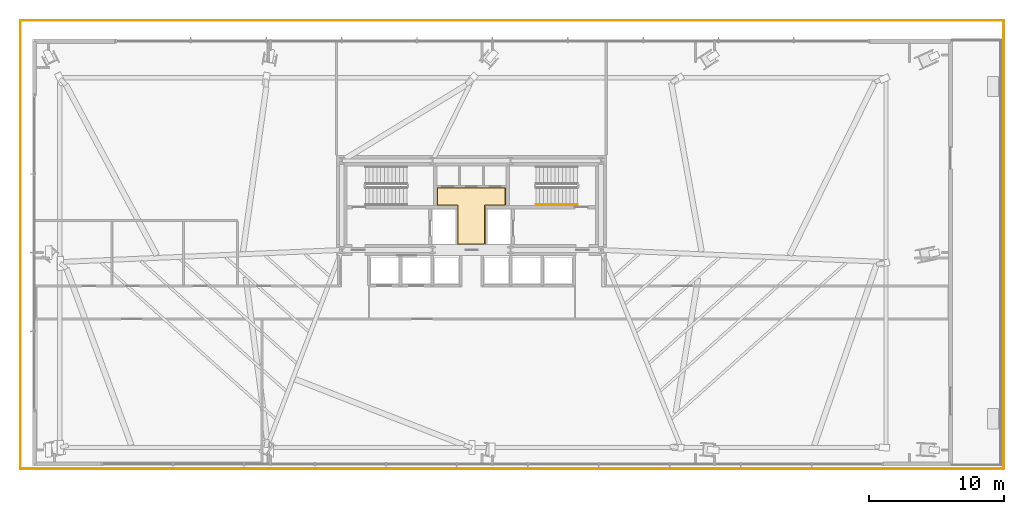
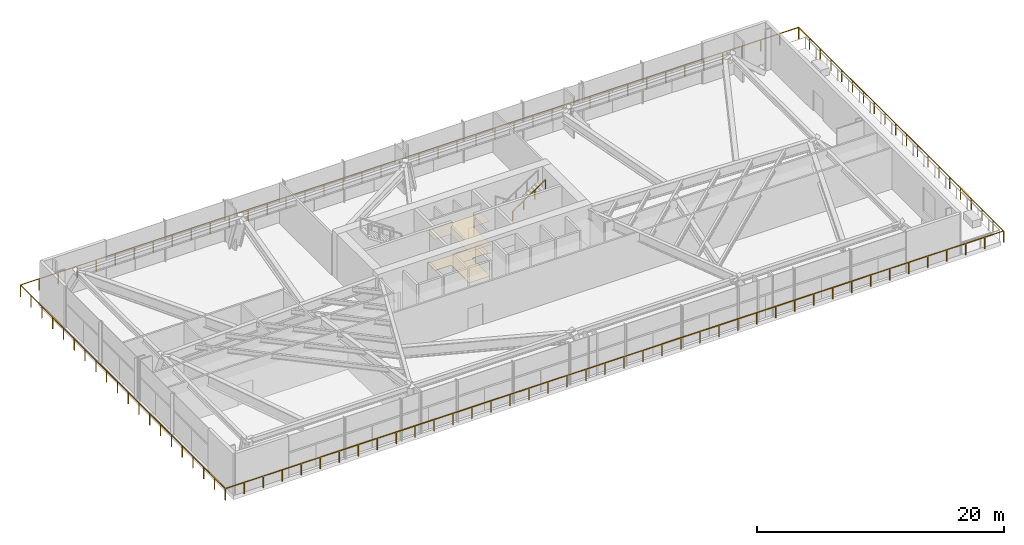
# One storey, part 27 of 30: 3 railings, 2 coverings.
"""IFC4 building model written with IfcOpenShell, lengths in metres."""

from ifc_helpers import new_model, si_unit, direction, frame, origin, origin_2d, place, context, subcontext, project, spatial, polyline, rectangle, outline, extrude, source, transform, mapped, material, layer, layer_set, type_object, type_shapes, element, save


model = new_model("IFC4")

# Units and contexts
model_context = context("Model", 3, precision=1e-05, world=origin(), true_north=direction((0.0, 1.0)))
body_context = subcontext(model_context, "Body", "Model", "MODEL_VIEW")
ifc_project = project(units=[si_unit("LENGTHUNIT", "METRE"), si_unit("AREAUNIT", "SQUARE_METRE"), si_unit("VOLUMEUNIT", "CUBIC_METRE"), si_unit("PLANEANGLEUNIT", "RADIAN"), si_unit("MASSUNIT", "GRAM", prefix="KILO")], contexts=[model_context])

# Site, building, storey
site_placement = place(None, origin())
site = spatial("IfcSite", under=ifc_project, at=site_placement, CompositionType="ELEMENT")
building_placement = place(site_placement, origin())
building = spatial("IfcBuilding", under=site, at=building_placement, Name="Astriad Promenade Condominiums", CompositionType="ELEMENT")
storey_placement = place(building_placement, frame((0.0, 0.0, 14.0)))
storey = spatial("IfcBuildingStorey", under=building, at=storey_placement, Name="L03", CompositionType="ELEMENT", Elevation=14.0)

# Coverings
ifc_material_1 = material(Name="Mineral-Fibre Acoustic Ceiling Tile")
ifc_layer_1 = layer(ifc_material_1, 0.02490234375)
ifc_layer_set_1 = layer_set([ifc_layer_1], Name="Mineral-Fibre Acoustic Ceiling Tile")
covering_type_1 = type_object("IfcCoveringType", Name="COV-CEIL-ACOUSTIC-25", PredefinedType="CEILING", material=ifc_layer_set_1)
covering_1_placement = place(storey_placement, frame((0.0, 0.0, 3.135009765625)))
element("IfcCovering", 1, at=covering_1_placement, inside=storey, type_object=covering_type_1, Name="CEIL-L03-CSL", PredefinedType="CEILING", context=body_context, shape_type="SweptSolid", body=[
    extrude(outline(polyline([(37.050048828125, 17.800048828125), (37.0498046875, 17.797119140625), (37.04931640625, 17.794189453125), (37.048583984375, 17.791259765625), (37.047607421875, 17.78857421875), (37.04638671875, 17.785888671875), (37.044921875, 17.783203125), (37.043212890625, 17.781005859375), (37.041259765625, 17.77880859375), (37.0390625, 17.77685546875), (37.03662109375, 17.775146484375), (37.0341796875, 17.7734375), (37.031494140625, 17.772216796875), (37.02880859375, 17.771240234375), (37.02587890625, 17.7705078125), (37.02294921875, 17.77001953125), (37.02001953125, 17.77001953125), (34.97998046875, 17.77001953125), (34.97705078125, 17.77001953125), (34.97412109375, 17.7705078125), (34.97119140625, 17.771240234375), (34.968505859375, 17.772216796875), (34.9658203125, 17.7734375), (34.96337890625, 17.775146484375), (34.9609375, 17.77685546875), (34.958740234375, 17.77880859375), (34.956787109375, 17.781005859375), (34.955078125, 17.783203125), (34.95361328125, 17.785888671875), (34.952392578125, 17.78857421875), (34.951416015625, 17.791259765625), (34.95068359375, 17.794189453125), (34.9501953125, 17.797119140625), (34.949951171875, 17.800048828125), (34.949951171875, 20.669921875), (33.4599609375, 20.669921875), (33.45703125, 20.670166015625), (33.4541015625, 20.670654296875), (33.451416015625, 20.67138671875), (33.448486328125, 20.67236328125), (33.44580078125, 20.673583984375), (33.443359375, 20.675048828125), (33.44091796875, 20.6767578125), (33.438720703125, 20.6787109375), (33.436767578125, 20.680908203125), (33.43505859375, 20.683349609375), (33.43359375, 20.685791015625), (33.432373046875, 20.6884765625), (33.431396484375, 20.69140625), (33.4306640625, 20.694091796875), (33.43017578125, 20.697021484375), (33.429931640625, 20.699951171875), (33.429931640625, 22.02001953125), (33.43017578125, 22.02294921875), (33.4306640625, 22.02587890625), (33.431396484375, 22.02880859375), (33.432373046875, 22.031494140625), (33.43359375, 22.0341796875), (33.43505859375, 22.03662109375), (33.436767578125, 22.0390625), (33.438720703125, 22.041259765625), (33.44091796875, 22.043212890625), (33.443359375, 22.044921875), (33.44580078125, 22.04638671875), (33.448486328125, 22.047607421875), (33.451416015625, 22.048583984375), (33.4541015625, 22.04931640625), (33.45703125, 22.0498046875), (33.4599609375, 22.050048828125), (38.5400390625, 22.050048828125), (38.54296875, 22.0498046875), (38.5458984375, 22.04931640625), (38.548583984375, 22.048583984375), (38.551513671875, 22.047607421875), (38.55419921875, 22.04638671875), (38.556640625, 22.044921875), (38.55908203125, 22.043212890625), (38.561279296875, 22.041259765625), (38.563232421875, 22.0390625), (38.56494140625, 22.03662109375), (38.56640625, 22.0341796875), (38.567626953125, 22.031494140625), (38.568603515625, 22.02880859375), (38.5693359375, 22.02587890625), (38.56982421875, 22.02294921875), (38.570068359375, 22.02001953125), (38.570068359375, 20.699951171875), (38.56982421875, 20.697021484375), (38.5693359375, 20.694091796875), (38.568603515625, 20.69140625), (38.567626953125, 20.6884765625), (38.56640625, 20.685791015625), (38.56494140625, 20.683349609375), (38.563232421875, 20.680908203125), (38.561279296875, 20.6787109375), (38.55908203125, 20.6767578125), (38.556640625, 20.675048828125), (38.55419921875, 20.673583984375), (38.551513671875, 20.67236328125), (38.548583984375, 20.67138671875), (38.5458984375, 20.670654296875), (38.54296875, 20.670166015625), (38.5400390625, 20.669921875), (37.050048828125, 20.669921875), (37.050048828125, 17.800048828125)])), origin(), (0.0, 0.0, 1.0), 0.02490234375),
])
ifc_material_2 = material(Name="Polished Lakefront Terrazzo Flooring")
ifc_layer_2 = layer(ifc_material_2, 0.02001953125)
ifc_layer_set_2 = layer_set([ifc_layer_2], Name="Polished Lakefront Terrazzo Flooring")
covering_type_2 = type_object("IfcCoveringType", Name="COV-FLOR-TERRAZZO-20", PredefinedType="FLOORING", material=ifc_layer_set_2)
covering_2_placement = place(storey_placement, origin())
element("IfcCovering", 2, at=covering_2_placement, inside=storey, type_object=covering_type_2, Name="FLR-L03-CSL", PredefinedType="FLOORING", context=body_context, shape_type="SweptSolid", body=[
    extrude(outline(polyline([(36.97998046875, 20.699951171875), (36.97998046875, 17.840087890625), (35.02001953125, 17.840087890625), (35.02001953125, 20.699951171875), (35.019775390625, 20.703857421875), (35.019287109375, 20.707763671875), (35.018310546875, 20.711669921875), (35.01708984375, 20.71533203125), (35.015380859375, 20.718994140625), (35.01318359375, 20.72216796875), (35.010986328125, 20.725341796875), (35.00830078125, 20.728271484375), (35.00537109375, 20.73095703125), (35.002197265625, 20.7333984375), (34.998779296875, 20.7353515625), (34.995361328125, 20.737060546875), (34.99169921875, 20.73828125), (34.98779296875, 20.7392578125), (34.98388671875, 20.73974609375), (34.97998046875, 20.739990234375), (33.5, 20.739990234375), (33.5, 21.97998046875), (38.5, 21.97998046875), (38.5, 20.739990234375), (37.02001953125, 20.739990234375), (37.01611328125, 20.73974609375), (37.01220703125, 20.7392578125), (37.00830078125, 20.73828125), (37.004638671875, 20.737060546875), (37.001220703125, 20.7353515625), (36.997802734375, 20.7333984375), (36.99462890625, 20.73095703125), (36.99169921875, 20.728271484375), (36.989013671875, 20.725341796875), (36.98681640625, 20.72216796875), (36.984619140625, 20.718994140625), (36.98291015625, 20.71533203125), (36.981689453125, 20.711669921875), (36.980712890625, 20.707763671875), (36.980224609375, 20.703857421875), (36.97998046875, 20.699951171875)])), origin(), (0.0, 0.0, 1.0), 0.02001953125),
])

# Railings
ifc_material_3 = material(Name="Anodised Aluminium and Glass Terrace Guardrail", Category="aluminium")
railing_type_1 = type_object("IfcRailingType", Name="GRD-TERR-1150", PredefinedType="GUARDRAIL", material=ifc_material_3)
shared_shape_1 = source(origin(), body_context, "Body", "SweptSolid", [
    extrude(rectangle(XDim=0.048095703125, YDim=0.048095703125, at=origin_2d()), frame((0.0, 0.0, 1.1259765625), z_axis=(0.0, -1.0, 0.0), x_axis=(1.0, 0.0, 0.0)), (0.0, 0.0, 1.0), 33.199951171875),
    extrude(rectangle(XDim=0.048095703125, YDim=0.048095703125, at=origin_2d()), frame((0.0, -33.199951171875, 1.1259765625), z_axis=(-1.0, 0.0, 0.0), x_axis=(0.0, -1.0, 0.0)), (0.0, 0.0, 1.0), 72.7998046875),
    extrude(rectangle(XDim=0.0419921875, YDim=0.0419921875, at=origin_2d()), origin(), (0.0, 0.0, 1.0), 1.101806640625),
    extrude(rectangle(XDim=0.0419921875, YDim=0.0419921875, at=origin_2d()), frame((0.0, -1.747314453125, 0.0)), (0.0, 0.0, 1.0), 1.101806640625),
    extrude(rectangle(XDim=0.0419921875, YDim=0.0419921875, at=origin_2d()), frame((0.0, -3.49462890625, 0.0)), (0.0, 0.0, 1.0), 1.101806640625),
    extrude(rectangle(XDim=0.0419921875, YDim=0.0419921875, at=origin_2d()), frame((0.0, -5.2421875, 0.0)), (0.0, 0.0, 1.0), 1.101806640625),
    extrude(rectangle(XDim=0.0419921875, YDim=0.0419921875, at=origin_2d()), frame((0.0, -6.989501953125, 0.0)), (0.0, 0.0, 1.0), 1.101806640625),
    extrude(rectangle(XDim=0.0419921875, YDim=0.0419921875, at=origin_2d()), frame((0.0, -8.73681640625, 0.0)), (0.0, 0.0, 1.0), 1.101806640625),
    extrude(rectangle(XDim=0.0419921875, YDim=0.0419921875, at=origin_2d()), frame((0.0, -10.484130859375, 0.0)), (0.0, 0.0, 1.0), 1.101806640625),
    extrude(rectangle(XDim=0.0419921875, YDim=0.0419921875, at=origin_2d()), frame((0.0, -12.2314453125, 0.0)), (0.0, 0.0, 1.0), 1.101806640625),
    extrude(rectangle(XDim=0.0419921875, YDim=0.0419921875, at=origin_2d()), frame((0.0, -13.97900390625, 0.0)), (0.0, 0.0, 1.0), 1.101806640625),
    extrude(rectangle(XDim=0.0419921875, YDim=0.0419921875, at=origin_2d()), frame((0.0, -15.726318359375, 0.0)), (0.0, 0.0, 1.0), 1.101806640625),
    extrude(rectangle(XDim=0.0419921875, YDim=0.0419921875, at=origin_2d()), frame((0.0, -17.4736328125, 0.0)), (0.0, 0.0, 1.0), 1.101806640625),
    extrude(rectangle(XDim=0.0419921875, YDim=0.0419921875, at=origin_2d()), frame((0.0, -19.220947265625, 0.0)), (0.0, 0.0, 1.0), 1.101806640625),
    extrude(rectangle(XDim=0.0419921875, YDim=0.0419921875, at=origin_2d()), frame((0.0, -20.968505859375, 0.0)), (0.0, 0.0, 1.0), 1.101806640625),
    extrude(rectangle(XDim=0.0419921875, YDim=0.0419921875, at=origin_2d()), frame((0.0, -22.7158203125, 0.0)), (0.0, 0.0, 1.0), 1.101806640625),
    extrude(rectangle(XDim=0.0419921875, YDim=0.0419921875, at=origin_2d()), frame((0.0, -24.463134765625, 0.0)), (0.0, 0.0, 1.0), 1.101806640625),
    extrude(rectangle(XDim=0.0419921875, YDim=0.0419921875, at=origin_2d()), frame((0.0, -26.21044921875, 0.0)), (0.0, 0.0, 1.0), 1.101806640625),
    extrude(rectangle(XDim=0.0419921875, YDim=0.0419921875, at=origin_2d()), frame((0.0, -27.957763671875, 0.0)), (0.0, 0.0, 1.0), 1.101806640625),
    extrude(rectangle(XDim=0.0419921875, YDim=0.0419921875, at=origin_2d()), frame((0.0, -29.705322265625, 0.0)), (0.0, 0.0, 1.0), 1.101806640625),
    extrude(rectangle(XDim=0.0419921875, YDim=0.0419921875, at=origin_2d()), frame((0.0, -31.45263671875, 0.0)), (0.0, 0.0, 1.0), 1.101806640625),
    extrude(rectangle(XDim=0.0419921875, YDim=0.0419921875, at=origin_2d()), frame((0.0, -33.199951171875, 0.0)), (0.0, 0.0, 1.0), 1.101806640625),
    extrude(rectangle(XDim=0.0419921875, YDim=0.0419921875, at=origin_2d()), frame((-1.775634765625, -33.199951171875, 0.0)), (0.0, 0.0, 1.0), 1.101806640625),
    extrude(rectangle(XDim=0.0419921875, YDim=0.0419921875, at=origin_2d()), frame((-3.55126953125, -33.199951171875, 0.0)), (0.0, 0.0, 1.0), 1.101806640625),
    extrude(rectangle(XDim=0.0419921875, YDim=0.0419921875, at=origin_2d()), frame((-5.326904296875, -33.199951171875, 0.0)), (0.0, 0.0, 1.0), 1.101806640625),
    extrude(rectangle(XDim=0.0419921875, YDim=0.0419921875, at=origin_2d()), frame((-7.1025390625, -33.199951171875, 0.0)), (0.0, 0.0, 1.0), 1.101806640625),
    extrude(rectangle(XDim=0.0419921875, YDim=0.0419921875, at=origin_2d()), frame((-8.8779296875, -33.199951171875, 0.0)), (0.0, 0.0, 1.0), 1.101806640625),
    extrude(rectangle(XDim=0.0419921875, YDim=0.0419921875, at=origin_2d()), frame((-10.653564453125, -33.199951171875, 0.0)), (0.0, 0.0, 1.0), 1.101806640625),
    extrude(rectangle(XDim=0.0419921875, YDim=0.0419921875, at=origin_2d()), frame((-12.42919921875, -33.199951171875, 0.0)), (0.0, 0.0, 1.0), 1.101806640625),
    extrude(rectangle(XDim=0.0419921875, YDim=0.0419921875, at=origin_2d()), frame((-14.204833984375, -33.199951171875, 0.0)), (0.0, 0.0, 1.0), 1.101806640625),
    extrude(rectangle(XDim=0.0419921875, YDim=0.0419921875, at=origin_2d()), frame((-15.98046875, -33.199951171875, 0.0)), (0.0, 0.0, 1.0), 1.101806640625),
    extrude(rectangle(XDim=0.0419921875, YDim=0.0419921875, at=origin_2d()), frame((-17.756103515625, -33.199951171875, 0.0)), (0.0, 0.0, 1.0), 1.101806640625),
    extrude(rectangle(XDim=0.0419921875, YDim=0.0419921875, at=origin_2d()), frame((-19.53173828125, -33.199951171875, 0.0)), (0.0, 0.0, 1.0), 1.101806640625),
    extrude(rectangle(XDim=0.0419921875, YDim=0.0419921875, at=origin_2d()), frame((-21.307373046875, -33.199951171875, 0.0)), (0.0, 0.0, 1.0), 1.101806640625),
    extrude(rectangle(XDim=0.0419921875, YDim=0.0419921875, at=origin_2d()), frame((-23.082763671875, -33.199951171875, 0.0)), (0.0, 0.0, 1.0), 1.101806640625),
    extrude(rectangle(XDim=0.0419921875, YDim=0.0419921875, at=origin_2d()), frame((-24.8583984375, -33.199951171875, 0.0)), (0.0, 0.0, 1.0), 1.101806640625),
    extrude(rectangle(XDim=0.0419921875, YDim=0.0419921875, at=origin_2d()), frame((-26.634033203125, -33.199951171875, 0.0)), (0.0, 0.0, 1.0), 1.101806640625),
    extrude(rectangle(XDim=0.0419921875, YDim=0.0419921875, at=origin_2d()), frame((-28.40966796875, -33.199951171875, 0.0)), (0.0, 0.0, 1.0), 1.101806640625),
    extrude(rectangle(XDim=0.0419921875, YDim=0.0419921875, at=origin_2d()), frame((-30.185302734375, -33.199951171875, 0.0)), (0.0, 0.0, 1.0), 1.101806640625),
    extrude(rectangle(XDim=0.0419921875, YDim=0.0419921875, at=origin_2d()), frame((-31.9609375, -33.199951171875, 0.0)), (0.0, 0.0, 1.0), 1.101806640625),
    extrude(rectangle(XDim=0.0419921875, YDim=0.0419921875, at=origin_2d()), frame((-33.736572265625, -33.199951171875, 0.0)), (0.0, 0.0, 1.0), 1.101806640625),
    extrude(rectangle(XDim=0.0419921875, YDim=0.0419921875, at=origin_2d()), frame((-35.51220703125, -33.199951171875, 0.0)), (0.0, 0.0, 1.0), 1.101806640625),
    extrude(rectangle(XDim=0.0419921875, YDim=0.0419921875, at=origin_2d()), frame((-37.28759765625, -33.199951171875, 0.0)), (0.0, 0.0, 1.0), 1.101806640625),
    extrude(rectangle(XDim=0.0419921875, YDim=0.0419921875, at=origin_2d()), frame((-39.063232421875, -33.199951171875, 0.0)), (0.0, 0.0, 1.0), 1.101806640625),
    extrude(rectangle(XDim=0.0419921875, YDim=0.0419921875, at=origin_2d()), frame((-40.8388671875, -33.199951171875, 0.0)), (0.0, 0.0, 1.0), 1.101806640625),
    extrude(rectangle(XDim=0.0419921875, YDim=0.0419921875, at=origin_2d()), frame((-42.614501953125, -33.199951171875, 0.0)), (0.0, 0.0, 1.0), 1.101806640625),
    extrude(rectangle(XDim=0.0419921875, YDim=0.0419921875, at=origin_2d()), frame((-44.39013671875, -33.199951171875, 0.0)), (0.0, 0.0, 1.0), 1.101806640625),
    extrude(rectangle(XDim=0.0419921875, YDim=0.0419921875, at=origin_2d()), frame((-46.165771484375, -33.199951171875, 0.0)), (0.0, 0.0, 1.0), 1.101806640625),
    extrude(rectangle(XDim=0.0419921875, YDim=0.0419921875, at=origin_2d()), frame((-47.94140625, -33.199951171875, 0.0)), (0.0, 0.0, 1.0), 1.101806640625),
    extrude(rectangle(XDim=0.0419921875, YDim=0.0419921875, at=origin_2d()), frame((-49.717041015625, -33.199951171875, 0.0)), (0.0, 0.0, 1.0), 1.101806640625),
    extrude(rectangle(XDim=0.0419921875, YDim=0.0419921875, at=origin_2d()), frame((-51.492431640625, -33.199951171875, 0.0)), (0.0, 0.0, 1.0), 1.101806640625),
    extrude(rectangle(XDim=0.0419921875, YDim=0.0419921875, at=origin_2d()), frame((-53.26806640625, -33.199951171875, 0.0)), (0.0, 0.0, 1.0), 1.101806640625),
    extrude(rectangle(XDim=0.0419921875, YDim=0.0419921875, at=origin_2d()), frame((-55.043701171875, -33.199951171875, 0.0)), (0.0, 0.0, 1.0), 1.101806640625),
    extrude(rectangle(XDim=0.0419921875, YDim=0.0419921875, at=origin_2d()), frame((-56.8193359375, -33.199951171875, 0.0)), (0.0, 0.0, 1.0), 1.101806640625),
    extrude(rectangle(XDim=0.0419921875, YDim=0.0419921875, at=origin_2d()), frame((-58.594970703125, -33.199951171875, 0.0)), (0.0, 0.0, 1.0), 1.101806640625),
    extrude(rectangle(XDim=0.0419921875, YDim=0.0419921875, at=origin_2d()), frame((-60.37060546875, -33.199951171875, 0.0)), (0.0, 0.0, 1.0), 1.101806640625),
    extrude(rectangle(XDim=0.0419921875, YDim=0.0419921875, at=origin_2d()), frame((-62.146240234375, -33.199951171875, 0.0)), (0.0, 0.0, 1.0), 1.101806640625),
    extrude(rectangle(XDim=0.0419921875, YDim=0.0419921875, at=origin_2d()), frame((-63.921875, -33.199951171875, 0.0)), (0.0, 0.0, 1.0), 1.101806640625),
    extrude(rectangle(XDim=0.0419921875, YDim=0.0419921875, at=origin_2d()), frame((-65.697265625, -33.199951171875, 0.0)), (0.0, 0.0, 1.0), 1.101806640625),
    extrude(rectangle(XDim=0.0419921875, YDim=0.0419921875, at=origin_2d()), frame((-67.472900390625, -33.199951171875, 0.0)), (0.0, 0.0, 1.0), 1.101806640625),
    extrude(rectangle(XDim=0.0419921875, YDim=0.0419921875, at=origin_2d()), frame((-69.24853515625, -33.199951171875, 0.0)), (0.0, 0.0, 1.0), 1.101806640625),
    extrude(rectangle(XDim=0.0419921875, YDim=0.0419921875, at=origin_2d()), frame((-71.024169921875, -33.199951171875, 0.0)), (0.0, 0.0, 1.0), 1.101806640625),
    extrude(rectangle(XDim=0.0419921875, YDim=0.0419921875, at=origin_2d()), frame((-72.7998046875, -33.199951171875, 0.0)), (0.0, 0.0, 1.0), 1.101806640625),
])
railing_1_placement = place(storey_placement, frame((75.39990234375, 34.39990234375, 0.0)))
element("IfcRailing", 3, at=railing_1_placement, inside=storey, type_object=railing_type_1, Name="GRD-PSTEP-L03-01", PredefinedType="GUARDRAIL", context=body_context, shape_type="MappedRepresentation", body=[
    mapped(shared_shape_1, transform((0.0, 0.0, 0.0), scale=1.0)),
])
shared_shape_2 = source(origin(), body_context, "Body", "SweptSolid", [
    extrude(rectangle(XDim=0.048095703125, YDim=0.048095703125, at=origin_2d()), frame((0.0, 0.0, 1.1259765625), z_axis=(0.0, 1.0, 0.0), x_axis=(-1.0, 0.0, 0.0)), (0.0, 0.0, 1.0), 33.199951171875),
    extrude(rectangle(XDim=0.048095703125, YDim=0.048095703125, at=origin_2d()), frame((0.0, 33.199951171875, 1.1259765625), z_axis=(1.0, 0.0, 0.0), x_axis=(0.0, 1.0, 0.0)), (0.0, 0.0, 1.0), 72.7998046875),
    extrude(rectangle(XDim=0.0419921875, YDim=0.0419921875, at=origin_2d()), origin(), (0.0, 0.0, 1.0), 1.101806640625),
    extrude(rectangle(XDim=0.0419921875, YDim=0.0419921875, at=origin_2d()), frame((0.0, 1.747314453125, 0.0)), (0.0, 0.0, 1.0), 1.101806640625),
    extrude(rectangle(XDim=0.0419921875, YDim=0.0419921875, at=origin_2d()), frame((0.0, 3.49462890625, 0.0)), (0.0, 0.0, 1.0), 1.101806640625),
    extrude(rectangle(XDim=0.0419921875, YDim=0.0419921875, at=origin_2d()), frame((0.0, 5.2421875, 0.0)), (0.0, 0.0, 1.0), 1.101806640625),
    extrude(rectangle(XDim=0.0419921875, YDim=0.0419921875, at=origin_2d()), frame((0.0, 6.989501953125, 0.0)), (0.0, 0.0, 1.0), 1.101806640625),
    extrude(rectangle(XDim=0.0419921875, YDim=0.0419921875, at=origin_2d()), frame((0.0, 8.73681640625, 0.0)), (0.0, 0.0, 1.0), 1.101806640625),
    extrude(rectangle(XDim=0.0419921875, YDim=0.0419921875, at=origin_2d()), frame((0.0, 10.484130859375, 0.0)), (0.0, 0.0, 1.0), 1.101806640625),
    extrude(rectangle(XDim=0.0419921875, YDim=0.0419921875, at=origin_2d()), frame((0.0, 12.2314453125, 0.0)), (0.0, 0.0, 1.0), 1.101806640625),
    extrude(rectangle(XDim=0.0419921875, YDim=0.0419921875, at=origin_2d()), frame((0.0, 13.97900390625, 0.0)), (0.0, 0.0, 1.0), 1.101806640625),
    extrude(rectangle(XDim=0.0419921875, YDim=0.0419921875, at=origin_2d()), frame((0.0, 15.726318359375, 0.0)), (0.0, 0.0, 1.0), 1.101806640625),
    extrude(rectangle(XDim=0.0419921875, YDim=0.0419921875, at=origin_2d()), frame((0.0, 17.4736328125, 0.0)), (0.0, 0.0, 1.0), 1.101806640625),
    extrude(rectangle(XDim=0.0419921875, YDim=0.0419921875, at=origin_2d()), frame((0.0, 19.220947265625, 0.0)), (0.0, 0.0, 1.0), 1.101806640625),
    extrude(rectangle(XDim=0.0419921875, YDim=0.0419921875, at=origin_2d()), frame((0.0, 20.968505859375, 0.0)), (0.0, 0.0, 1.0), 1.101806640625),
    extrude(rectangle(XDim=0.0419921875, YDim=0.0419921875, at=origin_2d()), frame((0.0, 22.7158203125, 0.0)), (0.0, 0.0, 1.0), 1.101806640625),
    extrude(rectangle(XDim=0.0419921875, YDim=0.0419921875, at=origin_2d()), frame((0.0, 24.463134765625, 0.0)), (0.0, 0.0, 1.0), 1.101806640625),
    extrude(rectangle(XDim=0.0419921875, YDim=0.0419921875, at=origin_2d()), frame((0.0, 26.21044921875, 0.0)), (0.0, 0.0, 1.0), 1.101806640625),
    extrude(rectangle(XDim=0.0419921875, YDim=0.0419921875, at=origin_2d()), frame((0.0, 27.957763671875, 0.0)), (0.0, 0.0, 1.0), 1.101806640625),
    extrude(rectangle(XDim=0.0419921875, YDim=0.0419921875, at=origin_2d()), frame((0.0, 29.705322265625, 0.0)), (0.0, 0.0, 1.0), 1.101806640625),
    extrude(rectangle(XDim=0.0419921875, YDim=0.0419921875, at=origin_2d()), frame((0.0, 31.45263671875, 0.0)), (0.0, 0.0, 1.0), 1.101806640625),
    extrude(rectangle(XDim=0.0419921875, YDim=0.0419921875, at=origin_2d()), frame((0.0, 33.199951171875, 0.0)), (0.0, 0.0, 1.0), 1.101806640625),
    extrude(rectangle(XDim=0.0419921875, YDim=0.0419921875, at=origin_2d()), frame((1.775634765625, 33.199951171875, 0.0)), (0.0, 0.0, 1.0), 1.101806640625),
    extrude(rectangle(XDim=0.0419921875, YDim=0.0419921875, at=origin_2d()), frame((3.55126953125, 33.199951171875, 0.0)), (0.0, 0.0, 1.0), 1.101806640625),
    extrude(rectangle(XDim=0.0419921875, YDim=0.0419921875, at=origin_2d()), frame((5.326904296875, 33.199951171875, 0.0)), (0.0, 0.0, 1.0), 1.101806640625),
    extrude(rectangle(XDim=0.0419921875, YDim=0.0419921875, at=origin_2d()), frame((7.1025390625, 33.199951171875, 0.0)), (0.0, 0.0, 1.0), 1.101806640625),
    extrude(rectangle(XDim=0.0419921875, YDim=0.0419921875, at=origin_2d()), frame((8.8779296875, 33.199951171875, 0.0)), (0.0, 0.0, 1.0), 1.101806640625),
    extrude(rectangle(XDim=0.0419921875, YDim=0.0419921875, at=origin_2d()), frame((10.653564453125, 33.199951171875, 0.0)), (0.0, 0.0, 1.0), 1.101806640625),
    extrude(rectangle(XDim=0.0419921875, YDim=0.0419921875, at=origin_2d()), frame((12.42919921875, 33.199951171875, 0.0)), (0.0, 0.0, 1.0), 1.101806640625),
    extrude(rectangle(XDim=0.0419921875, YDim=0.0419921875, at=origin_2d()), frame((14.204833984375, 33.199951171875, 0.0)), (0.0, 0.0, 1.0), 1.101806640625),
    extrude(rectangle(XDim=0.0419921875, YDim=0.0419921875, at=origin_2d()), frame((15.98046875, 33.199951171875, 0.0)), (0.0, 0.0, 1.0), 1.101806640625),
    extrude(rectangle(XDim=0.0419921875, YDim=0.0419921875, at=origin_2d()), frame((17.756103515625, 33.199951171875, 0.0)), (0.0, 0.0, 1.0), 1.101806640625),
    extrude(rectangle(XDim=0.0419921875, YDim=0.0419921875, at=origin_2d()), frame((19.53173828125, 33.199951171875, 0.0)), (0.0, 0.0, 1.0), 1.101806640625),
    extrude(rectangle(XDim=0.0419921875, YDim=0.0419921875, at=origin_2d()), frame((21.307373046875, 33.199951171875, 0.0)), (0.0, 0.0, 1.0), 1.101806640625),
    extrude(rectangle(XDim=0.0419921875, YDim=0.0419921875, at=origin_2d()), frame((23.082763671875, 33.199951171875, 0.0)), (0.0, 0.0, 1.0), 1.101806640625),
    extrude(rectangle(XDim=0.0419921875, YDim=0.0419921875, at=origin_2d()), frame((24.8583984375, 33.199951171875, 0.0)), (0.0, 0.0, 1.0), 1.101806640625),
    extrude(rectangle(XDim=0.0419921875, YDim=0.0419921875, at=origin_2d()), frame((26.634033203125, 33.199951171875, 0.0)), (0.0, 0.0, 1.0), 1.101806640625),
    extrude(rectangle(XDim=0.0419921875, YDim=0.0419921875, at=origin_2d()), frame((28.40966796875, 33.199951171875, 0.0)), (0.0, 0.0, 1.0), 1.101806640625),
    extrude(rectangle(XDim=0.0419921875, YDim=0.0419921875, at=origin_2d()), frame((30.185302734375, 33.199951171875, 0.0)), (0.0, 0.0, 1.0), 1.101806640625),
    extrude(rectangle(XDim=0.0419921875, YDim=0.0419921875, at=origin_2d()), frame((31.9609375, 33.199951171875, 0.0)), (0.0, 0.0, 1.0), 1.101806640625),
    extrude(rectangle(XDim=0.0419921875, YDim=0.0419921875, at=origin_2d()), frame((33.736572265625, 33.199951171875, 0.0)), (0.0, 0.0, 1.0), 1.101806640625),
    extrude(rectangle(XDim=0.0419921875, YDim=0.0419921875, at=origin_2d()), frame((35.51220703125, 33.199951171875, 0.0)), (0.0, 0.0, 1.0), 1.101806640625),
    extrude(rectangle(XDim=0.0419921875, YDim=0.0419921875, at=origin_2d()), frame((37.28759765625, 33.199951171875, 0.0)), (0.0, 0.0, 1.0), 1.101806640625),
    extrude(rectangle(XDim=0.0419921875, YDim=0.0419921875, at=origin_2d()), frame((39.063232421875, 33.199951171875, 0.0)), (0.0, 0.0, 1.0), 1.101806640625),
    extrude(rectangle(XDim=0.0419921875, YDim=0.0419921875, at=origin_2d()), frame((40.8388671875, 33.199951171875, 0.0)), (0.0, 0.0, 1.0), 1.101806640625),
    extrude(rectangle(XDim=0.0419921875, YDim=0.0419921875, at=origin_2d()), frame((42.614501953125, 33.199951171875, 0.0)), (0.0, 0.0, 1.0), 1.101806640625),
    extrude(rectangle(XDim=0.0419921875, YDim=0.0419921875, at=origin_2d()), frame((44.39013671875, 33.199951171875, 0.0)), (0.0, 0.0, 1.0), 1.101806640625),
    extrude(rectangle(XDim=0.0419921875, YDim=0.0419921875, at=origin_2d()), frame((46.165771484375, 33.199951171875, 0.0)), (0.0, 0.0, 1.0), 1.101806640625),
    extrude(rectangle(XDim=0.0419921875, YDim=0.0419921875, at=origin_2d()), frame((47.94140625, 33.199951171875, 0.0)), (0.0, 0.0, 1.0), 1.101806640625),
    extrude(rectangle(XDim=0.0419921875, YDim=0.0419921875, at=origin_2d()), frame((49.717041015625, 33.199951171875, 0.0)), (0.0, 0.0, 1.0), 1.101806640625),
    extrude(rectangle(XDim=0.0419921875, YDim=0.0419921875, at=origin_2d()), frame((51.492431640625, 33.199951171875, 0.0)), (0.0, 0.0, 1.0), 1.101806640625),
    extrude(rectangle(XDim=0.0419921875, YDim=0.0419921875, at=origin_2d()), frame((53.26806640625, 33.199951171875, 0.0)), (0.0, 0.0, 1.0), 1.101806640625),
    extrude(rectangle(XDim=0.0419921875, YDim=0.0419921875, at=origin_2d()), frame((55.043701171875, 33.199951171875, 0.0)), (0.0, 0.0, 1.0), 1.101806640625),
    extrude(rectangle(XDim=0.0419921875, YDim=0.0419921875, at=origin_2d()), frame((56.8193359375, 33.199951171875, 0.0)), (0.0, 0.0, 1.0), 1.101806640625),
    extrude(rectangle(XDim=0.0419921875, YDim=0.0419921875, at=origin_2d()), frame((58.594970703125, 33.199951171875, 0.0)), (0.0, 0.0, 1.0), 1.101806640625),
    extrude(rectangle(XDim=0.0419921875, YDim=0.0419921875, at=origin_2d()), frame((60.37060546875, 33.199951171875, 0.0)), (0.0, 0.0, 1.0), 1.101806640625),
    extrude(rectangle(XDim=0.0419921875, YDim=0.0419921875, at=origin_2d()), frame((62.146240234375, 33.199951171875, 0.0)), (0.0, 0.0, 1.0), 1.101806640625),
    extrude(rectangle(XDim=0.0419921875, YDim=0.0419921875, at=origin_2d()), frame((63.921875, 33.199951171875, 0.0)), (0.0, 0.0, 1.0), 1.101806640625),
    extrude(rectangle(XDim=0.0419921875, YDim=0.0419921875, at=origin_2d()), frame((65.697265625, 33.199951171875, 0.0)), (0.0, 0.0, 1.0), 1.101806640625),
    extrude(rectangle(XDim=0.0419921875, YDim=0.0419921875, at=origin_2d()), frame((67.472900390625, 33.199951171875, 0.0)), (0.0, 0.0, 1.0), 1.101806640625),
    extrude(rectangle(XDim=0.0419921875, YDim=0.0419921875, at=origin_2d()), frame((69.24853515625, 33.199951171875, 0.0)), (0.0, 0.0, 1.0), 1.101806640625),
    extrude(rectangle(XDim=0.0419921875, YDim=0.0419921875, at=origin_2d()), frame((71.024169921875, 33.199951171875, 0.0)), (0.0, 0.0, 1.0), 1.101806640625),
    extrude(rectangle(XDim=0.0419921875, YDim=0.0419921875, at=origin_2d()), frame((72.7998046875, 33.199951171875, 0.0)), (0.0, 0.0, 1.0), 1.101806640625),
])
type_shapes(railing_type_1, [shared_shape_1, shared_shape_2])
railing_2_placement = place(storey_placement, frame((2.60009765625, 1.199951171875, 0.0)))
element("IfcRailing", 4, at=railing_2_placement, inside=storey, type_object=railing_type_1, Name="GRD-PSTEP-L03-02", PredefinedType="GUARDRAIL", context=body_context, shape_type="MappedRepresentation", body=[
    mapped(shared_shape_2, transform((0.0, 0.0, 0.0), scale=1.0)),
])
ifc_material_4 = material(Name="Brushed Stainless Steel Handrail", Category="steel")
railing_type_2 = type_object("IfcRailingType", Name="HRL-STAIR-920", PredefinedType="HANDRAIL", material=ifc_material_4)
shared_shape_3 = source(origin(), body_context, "Body", "SweptSolid", [
    extrude(rectangle(XDim=0.048095703125, YDim=0.048095703125, at=origin_2d()), frame((0.0, 0.0, 0.8759765625), z_axis=(0.830913701846, 0.0, 0.55640131208), x_axis=(0.0, 1.0, 0.0)), (0.0, 0.0, 1.0), 3.706787109375),
    extrude(rectangle(XDim=0.0419921875, YDim=0.0419921875, at=origin_2d()), origin(), (0.0, 0.0, 1.0), 0.851806640625),
    extrude(rectangle(XDim=0.0419921875, YDim=0.0419921875, at=origin_2d()), frame((1.026611328125, 0.0, 0.6875)), (0.0, 0.0, 1.0), 0.851806640625),
    extrude(rectangle(XDim=0.0419921875, YDim=0.0419921875, at=origin_2d()), frame((2.053466796875, 0.0, 1.375)), (0.0, 0.0, 1.0), 0.851806640625),
    extrude(rectangle(XDim=0.0419921875, YDim=0.0419921875, at=origin_2d()), frame((3.080078125, 0.0, 2.0625)), (0.0, 0.0, 1.0), 0.851806640625),
])
type_shapes(railing_type_2, [shared_shape_3])
railing_3_placement = place(storey_placement, frame((40.77001953125, 20.75, 2.4375)))
element("IfcRailing", 5, at=railing_3_placement, inside=storey, type_object=railing_type_2, Name="L03 ST-2 stair handrail 2", PredefinedType="HANDRAIL", context=body_context, shape_type="MappedRepresentation", body=[
    mapped(shared_shape_3, transform((0.0, 0.0, 0.0), scale=1.0)),
])

save(model, "model.ifc")
